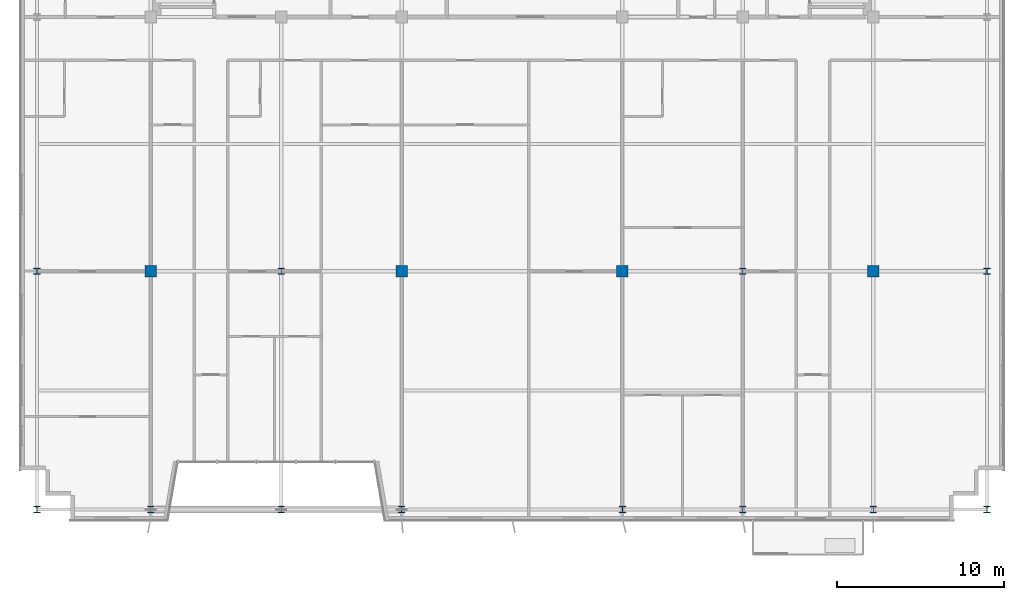
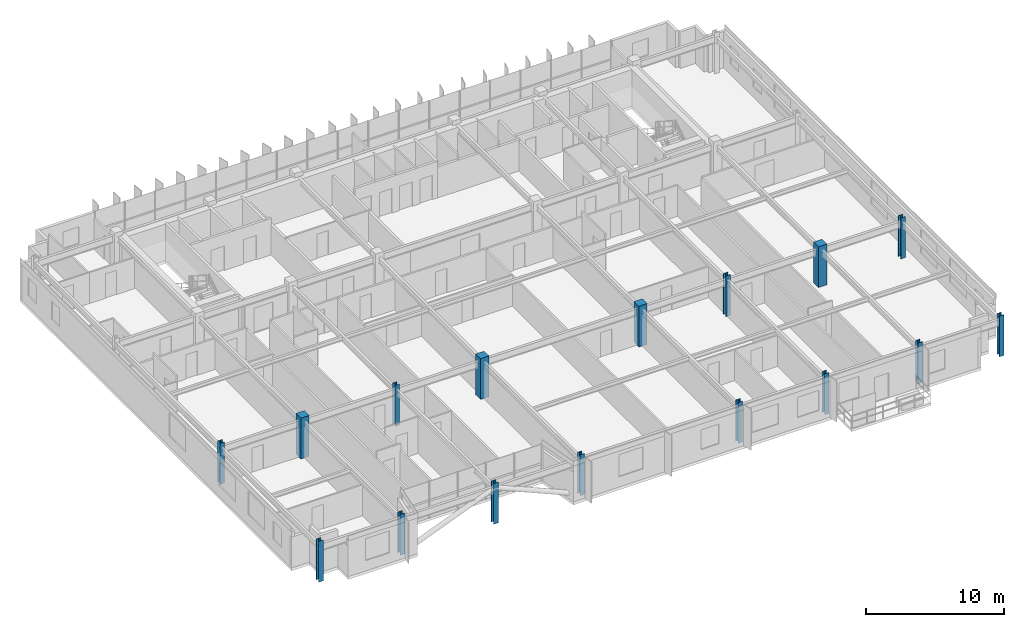
# One storey, part 1 of 24: 16 columns.
"""IFC4 building model written with IfcOpenShell, lengths in metres."""

from ifc_helpers import new_model, si_unit, direction, frame, origin, origin_2d, place, context, subcontext, project, spatial, rectangle, i_section, extrude, source, transform, mapped, material, material_profile, profile_set, type_object, element, save


model = new_model("IFC4")

# Units and contexts
model_context = context("Model", 3, precision=1e-05, world=origin(), true_north=direction((0.0, 1.0)))
body_context = subcontext(model_context, "Body", "Model", "MODEL_VIEW")
ifc_project = project(units=[si_unit("LENGTHUNIT", "METRE"), si_unit("AREAUNIT", "SQUARE_METRE"), si_unit("VOLUMEUNIT", "CUBIC_METRE"), si_unit("PLANEANGLEUNIT", "RADIAN"), si_unit("MASSUNIT", "GRAM", prefix="KILO")], contexts=[model_context])

# Site, building, storey
site_placement = place(None, origin())
site = spatial("IfcSite", under=ifc_project, at=site_placement, CompositionType="ELEMENT")
building_placement = place(site_placement, origin())
building = spatial("IfcBuilding", under=site, at=building_placement, Name="Trelvane Seafront Commons", CompositionType="ELEMENT")
storey_placement = place(building_placement, frame((0.0, 0.0, 178.89990234375)))
storey = spatial("IfcBuildingStorey", under=building, at=storey_placement, Name="L47", CompositionType="ELEMENT", Elevation=178.89990234375)

# Columns
ifc_material_1 = material(Name="Steel SM355 (S355)", Category="steel")
ifc_material_profile_1 = material_profile(ifc_material_1, i_section(OverallWidth=0.3798828125, OverallDepth=0.3798828125, WebThickness=0.02001953125, FlangeThickness=0.030029296875, at=origin_2d()), Name="HD-380x380x20x30")
ifc_profile_set_1 = profile_set([ifc_material_profile_1], Name="Steel SM355 (S355)")
column_type_1 = type_object("IfcColumnType", Name="STR-COL-HD380", PredefinedType="COLUMN", material=ifc_profile_set_1)
shared_shape_1 = source(origin(), body_context, "Body", "SweptSolid", [
    extrude(i_section(OverallWidth=0.3798828125, OverallDepth=0.3798828125, WebThickness=0.02001953125, FlangeThickness=0.030029296875, at=origin_2d()), origin(), (0.0, 0.0, 1.0), 3.60009765625),
])
for number, where, z_axis, x_axis, name in (
    (1, (8.800048828125, 3.949951171875, 0.0), (0.0, 0.0, 1.0), (1.0, 0.0, 0.0), "L47 Column TC-S8.8"),
    (2, (8.800048828125, 18.199951171875, 0.0), (0.0, 0.0, 1.0), (1.0, 0.0, 0.0), "L47 Column TC-M8.8"),
    (3, (15.60009765625, 3.949951171875, 0.0), (0.0, 0.0, 1.0), (1.0, 0.0, 0.0), "L47 Column TC-S15.6"),
    (4, (23.39990234375, 3.949951171875, 0.0), (0.0, 0.0, 1.0), (1.0, 0.0, 0.0), "L47 Column TC-S23.4"),
    (5, (23.39990234375, 18.199951171875, 0.0), (0.0, 0.0, 1.0), (1.0, 0.0, 0.0), "L47 Column TC-M23.4"),
    (6, (30.60009765625, 3.949951171875, 0.0), (0.0, 0.0, 1.0), (1.0, 0.0, 0.0), "L47 Column TC-S30.6"),
    (7, (43.800048828125, 3.949951171875, 0.0), (0.0, 0.0, 1.0), (1.0, 0.0, 0.0), "L47 Column TC-S43.8"),
    (8, (51.0, 3.949951171875, 0.0), (0.0, 0.0, 1.0), (1.0, 0.0, 0.0), "L47 Column TC-S51.0"),
    (9, (51.0, 18.199951171875, 0.0), (0.0, 0.0, 1.0), (1.0, 0.0, 0.0), "L47 Column TC-M51.0"),
    (10, (58.800048828125, 3.949951171875, 0.0), (0.0, 0.0, 1.0), (1.0, 0.0, 0.0), "L47 Column TC-S58.8"),
    (11, (65.60009765625, 3.949951171875, 0.0), (0.0, 0.0, 1.0), (1.0, 0.0, 0.0), "L47 Column TC-S65.6"),
    (12, (65.60009765625, 18.199951171875, 0.0), (0.0, 0.0, 1.0), (1.0, 0.0, 0.0), "L47 Column TC-M65.6"),
):
    element("IfcColumn", number, at=place(storey_placement, frame(where, z_axis=z_axis, x_axis=x_axis)), inside=storey, type_object=column_type_1, Name=name, PredefinedType="COLUMN", context=body_context, shape_type="MappedRepresentation", body=[
        mapped(shared_shape_1, transform((0.0, 0.0, 0.0), x_axis=(1.0, 0.0, 0.0), y_axis=(0.0, 1.0, 0.0), z_axis=(0.0, 0.0, 1.0), scale=1.0)),
    ])
ifc_material_2 = material(Name="Concrete C50/60", Category="concrete")
ifc_material_profile_2 = material_profile(ifc_material_2, rectangle(XDim=0.699951171875, YDim=0.699951171875, at=origin_2d()), Name="RC-700x700")
ifc_profile_set_2 = profile_set([ifc_material_profile_2], Name="Concrete C50/60")
column_type_2 = type_object("IfcColumnType", Name="STR-COL-RC700", PredefinedType="COLUMN", material=ifc_profile_set_2)
shared_shape_2 = source(origin(), body_context, "Body", "SweptSolid", [
    extrude(rectangle(XDim=0.699951171875, YDim=0.699951171875, at=origin_2d()), origin(), (0.0, 0.0, 1.0), 3.60009765625),
])
for number, where, z_axis, x_axis, name in (
    (13, (15.60009765625, 18.199951171875, 0.0), (0.0, 0.0, 1.0), (1.0, 0.0, 0.0), "L47 Column TC-M15.6"),
    (14, (30.60009765625, 18.199951171875, 0.0), (0.0, 0.0, 1.0), (1.0, 0.0, 0.0), "L47 Column TC-M30.6"),
    (15, (43.800048828125, 18.199951171875, 0.0), (0.0, 0.0, 1.0), (1.0, 0.0, 0.0), "L47 Column TC-M43.8"),
    (16, (58.800048828125, 18.199951171875, 0.0), (0.0, 0.0, 1.0), (1.0, 0.0, 0.0), "L47 Column TC-M58.8"),
):
    element("IfcColumn", number, at=place(storey_placement, frame(where, z_axis=z_axis, x_axis=x_axis)), inside=storey, type_object=column_type_2, Name=name, PredefinedType="COLUMN", context=body_context, shape_type="MappedRepresentation", body=[
        mapped(shared_shape_2, transform((0.0, 0.0, 0.0), x_axis=(1.0, 0.0, 0.0), y_axis=(0.0, 1.0, 0.0), z_axis=(0.0, 0.0, 1.0), scale=1.0)),
    ])

save(model, "model.ifc")
